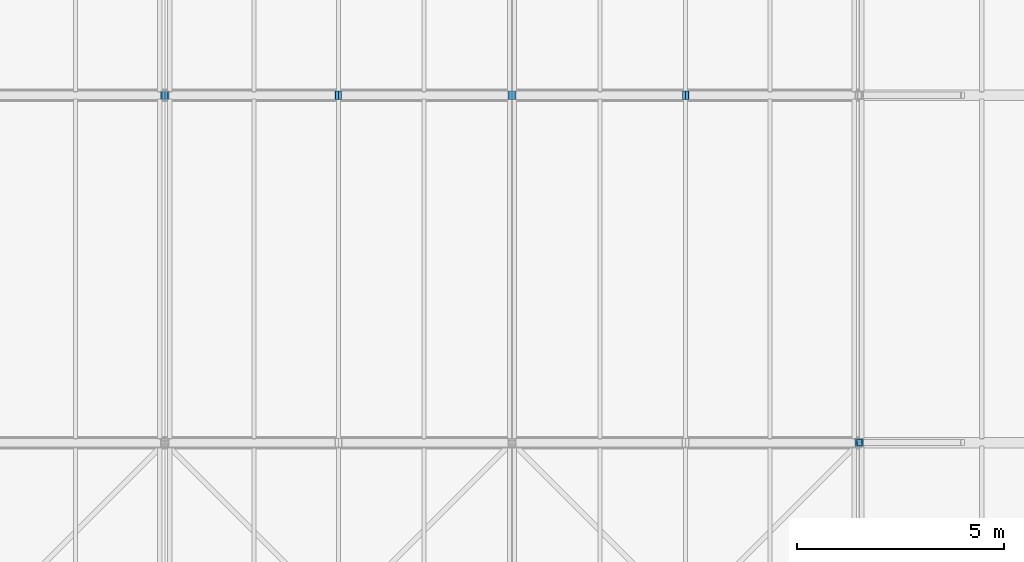
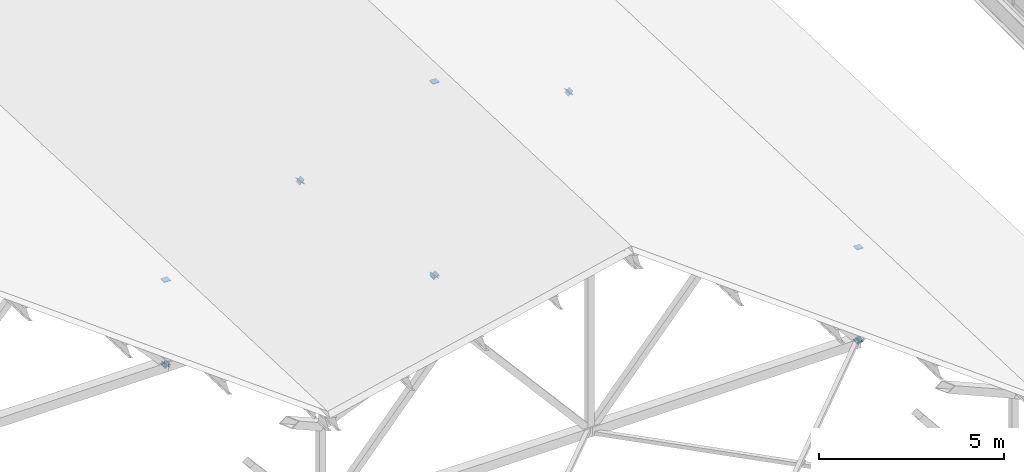
# One storey, part 53 of 76: 16 discrete accessories.
"""IFC4 building model written with IfcOpenShell, lengths in metres."""

from ifc_helpers import new_model, si_unit, direction, frame, origin, origin_2d, place, context, subcontext, project, spatial, rectangle, extrude, material, element, save


model = new_model("IFC4")

# Units and contexts
model_context = context("Model", 3, precision=1e-05, world=origin(), true_north=direction((0.0, 1.0)))
body_context = subcontext(model_context, "Body", "Model", "MODEL_VIEW")
ifc_project = project(units=[si_unit("LENGTHUNIT", "METRE"), si_unit("AREAUNIT", "SQUARE_METRE"), si_unit("VOLUMEUNIT", "CUBIC_METRE"), si_unit("PLANEANGLEUNIT", "RADIAN"), si_unit("MASSUNIT", "GRAM", prefix="KILO")], contexts=[model_context])

# Site, building, storey
site_placement = place(None, origin())
site = spatial("IfcSite", under=ifc_project, at=site_placement, CompositionType="ELEMENT")
building_placement = place(site_placement, origin())
building = spatial("IfcBuilding", under=site, at=building_placement, Name="Hlaing Beacon Police Headquarters", CompositionType="ELEMENT")
storey_placement = place(building_placement, frame((0.0, 0.0, 18.89990234375)))
storey = spatial("IfcBuildingStorey", under=building, at=storey_placement, Name="L04", CompositionType="ELEMENT", Elevation=18.89990234375)

# Discrete accessories
ifc_material = material(Name="Steel ASTM A572 Grade 50", Category="steel")
for number, where, z_axis, x_axis, name in (
    (1, (92.39990234375, 42.0, -4.33740234375), (0.0, 0.0, -1.0), (1.0, 0.0, 0.0), "Gusset plate GP-271"),
    (2, (92.39990234375, 42.0, -1.279296875), (0.0, 0.0, 1.0), (1.0, 0.0, 0.0), "Gusset plate GP-272"),
):
    element("IfcDiscreteAccessory", number, at=place(storey_placement, frame(where, z_axis=z_axis, x_axis=x_axis)), inside=storey, material=ifc_material, Name=name, PredefinedType="BRACKET", context=body_context, shape_type="SweptSolid", body=[
        extrude(rectangle(XDim=0.203125, YDim=0.203125, at=origin_2d()), origin(), (0.0, 0.0, 1.0), 0.02001953125),
    ])
discrete_accessory_1_placement = place(storey_placement, frame((92.394775390625, 42.0, -4.34130859375), z_axis=(0.651561457918, 0.0, -0.758595851924), x_axis=(0.0, 1.0, 0.0)))
element("IfcDiscreteAccessory", 3, at=discrete_accessory_1_placement, inside=storey, material=ifc_material, Name="Gusset plate GP-288", PredefinedType="BRACKET", context=body_context, shape_type="SweptSolid", body=[
    extrude(rectangle(XDim=0.203125, YDim=0.203125, at=origin_2d()), origin(), (0.0, 0.0, 1.0), 0.01611328125),
])
discrete_accessory_2_placement = place(storey_placement, frame((92.406494140625, 42.0, -4.3427734375), z_axis=(-0.820772849728, 0.0, -0.571254697267), x_axis=(0.0, -1.0, 0.0)))
element("IfcDiscreteAccessory", 4, at=discrete_accessory_2_placement, inside=storey, material=ifc_material, Name="Gusset plate GP-291", PredefinedType="BRACKET", context=body_context, shape_type="SweptSolid", body=[
    extrude(rectangle(XDim=0.15234375, YDim=0.15234375, at=origin_2d()), origin(), (0.0, 0.0, 1.0), 0.01611328125),
])
for number, where, z_axis, x_axis, name in (
    (5, (75.60009765625, 50.39990234375, -4.33740234375), (0.0, 0.0, -1.0), (1.0, 0.0, 0.0), "Gusset plate GP-297"),
    (6, (75.60009765625, 50.39990234375, -1.567626953125), (0.0, 0.0, 1.0), (1.0, 0.0, 0.0), "Gusset plate GP-298"),
    (7, (84.0, 50.39990234375, -4.33740234375), (0.0, 0.0, -1.0), (1.0, 0.0, 0.0), "Gusset plate GP-299"),
    (8, (84.0, 50.39990234375, 2.04443359375), (0.0, 0.0, 1.0), (1.0, 0.0, 0.0), "Gusset plate GP-300"),
):
    element("IfcDiscreteAccessory", number, at=place(storey_placement, frame(where, z_axis=z_axis, x_axis=x_axis)), inside=storey, material=ifc_material, Name=name, PredefinedType="BRACKET", context=body_context, shape_type="SweptSolid", body=[
        extrude(rectangle(XDim=0.203125, YDim=0.203125, at=origin_2d()), origin(), (0.0, 0.0, 1.0), 0.02001953125),
    ])
for number, where, z_axis, x_axis, name in (
    (9, (75.5947265625, 50.39990234375, -4.341552734375), (0.675098901557, 0.0, -0.737727234903), (0.0, 1.0, 0.0), "Gusset plate GP-310"),
    (10, (75.60546875, 50.39990234375, -4.341552734375), (-0.675077544232, 0.0, -0.737746778559), (0.0, -1.0, 0.0), "Gusset plate GP-311"),
    (11, (79.794677734375, 50.39990234375, 0.236572265625), (0.675077544232, 0.0, 0.737746778559), (0.0, 1.0, 0.0), "Gusset plate GP-312"),
    (12, (79.805419921875, 50.39990234375, 0.236572265625), (-0.675077544232, 0.0, 0.737746778559), (0.0, -1.0, 0.0), "Gusset plate GP-313"),
    (13, (83.99462890625, 50.39990234375, -4.341552734375), (0.675077544232, 0.0, -0.737746778559), (0.0, 1.0, 0.0), "Gusset plate GP-314"),
    (14, (84.00537109375, 50.39990234375, -4.341552734375), (-0.675077544232, 0.0, -0.737746778559), (0.0, -1.0, 0.0), "Gusset plate GP-315"),
    (15, (88.194580078125, 50.39990234375, 0.236572265625), (0.675077544232, 0.0, 0.737746778559), (0.0, 1.0, 0.0), "Gusset plate GP-316"),
    (16, (88.205322265625, 50.39990234375, 0.236572265625), (-0.675077544232, 0.0, 0.737746778559), (0.0, -1.0, 0.0), "Gusset plate GP-317"),
):
    element("IfcDiscreteAccessory", number, at=place(storey_placement, frame(where, z_axis=z_axis, x_axis=x_axis)), inside=storey, material=ifc_material, Name=name, PredefinedType="BRACKET", context=body_context, shape_type="SweptSolid", body=[
        extrude(rectangle(XDim=0.203125, YDim=0.203125, at=origin_2d()), origin(), (0.0, 0.0, 1.0), 0.01611328125),
    ])

save(model, "model.ifc")
